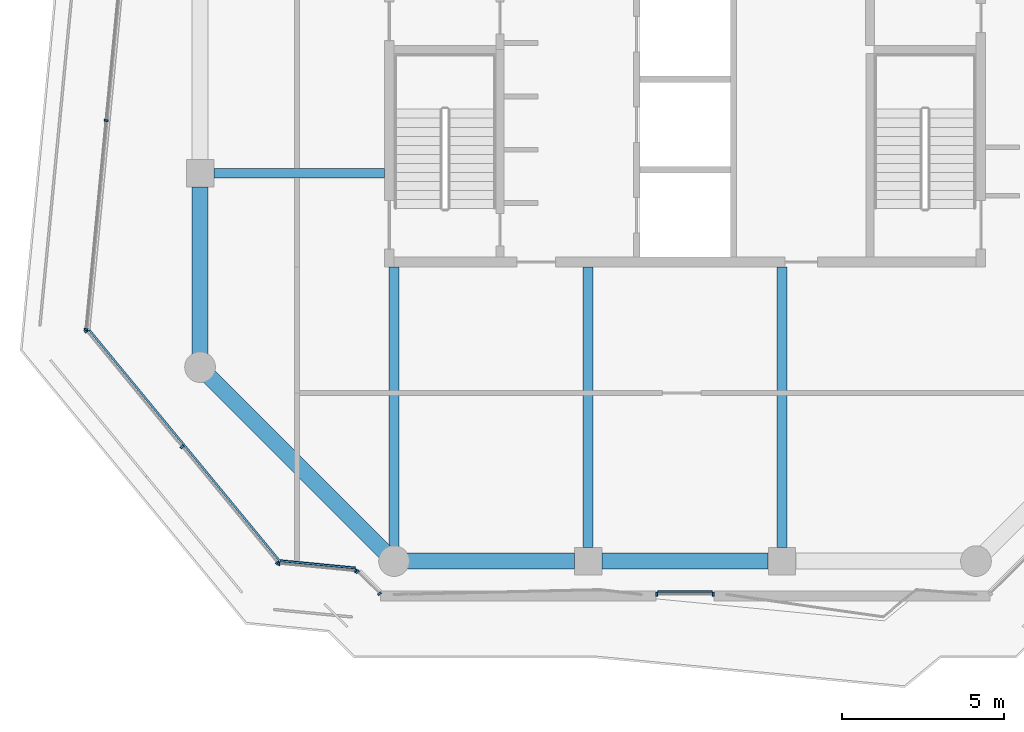
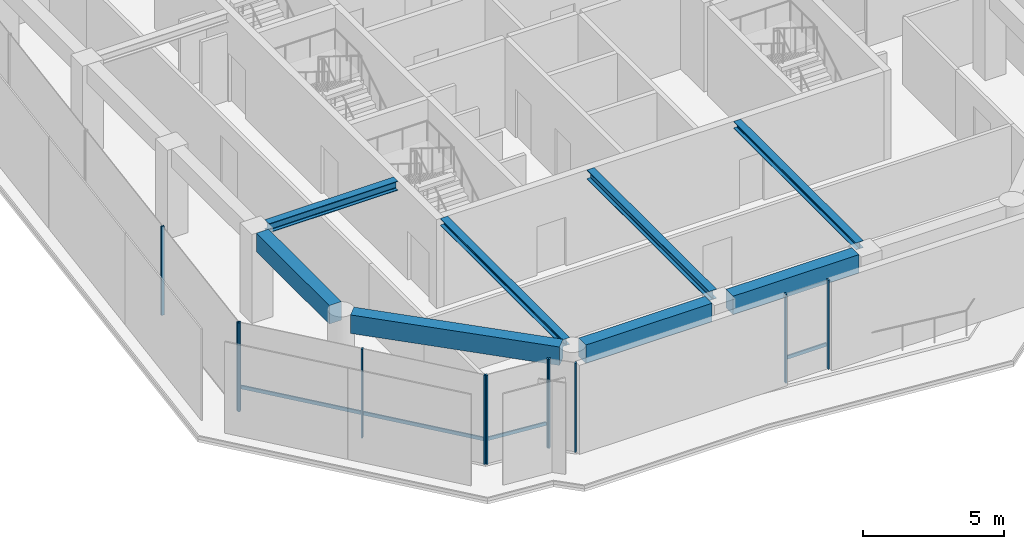
# One storey, part 2 of 25: 14 members, 8 beams, 5 elements without a shape of their own.
"""IFC4 building model written with IfcOpenShell, lengths in metres."""

from ifc_helpers import new_model, si_unit, direction, frame, origin, origin_2d, place, context, subcontext, project, spatial, rectangle, i_section, extrude, material, layer, layer_set, material_profile, profile_set, type_object, element, aggregate, save


model = new_model("IFC4")

# Units and contexts
model_context = context("Model", 3, precision=1e-05, world=origin(), true_north=direction((0.0, 1.0)))
body_context = subcontext(model_context, "Body", "Model", "MODEL_VIEW")
ifc_project = project(units=[si_unit("LENGTHUNIT", "METRE"), si_unit("AREAUNIT", "SQUARE_METRE"), si_unit("VOLUMEUNIT", "CUBIC_METRE"), si_unit("PLANEANGLEUNIT", "RADIAN"), si_unit("MASSUNIT", "GRAM", prefix="KILO")], contexts=[model_context])

# Site, building, storey
site_placement = place(None, origin())
site = spatial("IfcSite", under=ifc_project, at=site_placement, CompositionType="ELEMENT")
building_placement = place(site_placement, origin())
building = spatial("IfcBuilding", under=site, at=building_placement, Name="Welwitschia Terrace Campus", CompositionType="ELEMENT")
storey_placement = place(building_placement, frame((0.0, 0.0, 264.199951171875)))
storey = spatial("IfcBuildingStorey", under=building, at=storey_placement, Name="L58", CompositionType="ELEMENT", Elevation=264.199951171875)

# Beams
ifc_material_1 = material(Name="Steel S355", Category="steel")
ifc_material_profile_1 = material_profile(ifc_material_1, i_section(OverallWidth=0.300048828125, OverallDepth=0.300048828125, WebThickness=0.010986328125, FlangeThickness=0.01904296875, FilletRadius=0.027099609375, at=origin_2d()))
ifc_profile_set_1 = profile_set([ifc_material_profile_1], Name="Steel S355")
beam_type_1 = type_object("IfcBeamType", Name="Interior girder HE 300 B", PredefinedType="BEAM", material=ifc_profile_set_1)
beam_1_placement = place(storey_placement, frame((6.0, -3.55859375, 3.699951171875), z_axis=(0.0, 1.0, 0.0), x_axis=(-1.0, 0.0, 0.0)))
element("IfcBeam", 1, at=beam_1_placement, inside=storey, type_object=beam_type_1, Name="Girder GB6", PredefinedType="BEAM", context=body_context, shape_type="SweptSolid", body=[
    extrude(i_section(OverallWidth=0.300048828125, OverallDepth=0.300048828125, WebThickness=0.010986328125, FlangeThickness=0.01904296875, FilletRadius=0.027099609375, at=origin_2d()), origin(), (0.0, 0.0, 1.0), 8.65771484375),
])
beam_2_placement = place(storey_placement, frame((18.0, -3.58447265625, 3.699951171875), z_axis=(0.0, 1.0, 0.0), x_axis=(-1.0, 0.0, 0.0)))
element("IfcBeam", 2, at=beam_2_placement, inside=storey, type_object=beam_type_1, Name="Girder GB6", PredefinedType="BEAM", context=body_context, shape_type="SweptSolid", body=[
    extrude(i_section(OverallWidth=0.300048828125, OverallDepth=0.300048828125, WebThickness=0.010986328125, FlangeThickness=0.01904296875, FilletRadius=0.027099609375, at=origin_2d()), origin(), (0.0, 0.0, 1.0), 8.68359375),
])

# Curtain wall, members
ifc_material_2 = material(Name="Bronze anodised aluminium", Category="aluminium")
ifc_layer = layer(ifc_material_2, 0.1201171875)
ifc_layer_set = layer_set([ifc_layer], Name="Bronze anodised aluminium")
curtain_wall_type = type_object("IfcCurtainWallType", Name="Curtain wall CW2 tower 6000", PredefinedType="NOTDEFINED", material=ifc_layer_set)
curtain_wall_1_placement = place(storey_placement, origin())
curtain_wall_1 = element("IfcCurtainWall", 3, at=curtain_wall_1_placement, inside=storey, type_object=curtain_wall_type, Name="CW L58.1.0", PredefinedType="NOTDEFINED")
ifc_material_3 = material(Name="Bronze anodised aluminium", Category="aluminium")
ifc_material_profile_2 = material_profile(ifc_material_3, rectangle(XDim=0.1201171875, YDim=0.06005859375, at=origin_2d()))
ifc_profile_set_2 = profile_set([ifc_material_profile_2], Name="Bronze anodised aluminium")
member_type_1 = type_object("IfcMemberType", Name="Mullion 60x120", PredefinedType="MULLION", material=ifc_profile_set_2)
member_1_placement = place(storey_placement, frame((-2.90576171875, 9.628173828125, 0.0), z_axis=(0.0, 0.0, 1.0), x_axis=(0.995396198367, -0.09584575252, 0.0)))
member_1 = element("IfcMember", 4, at=member_1_placement, type_object=member_type_1, Name="Mullion L58.1.0.3", PredefinedType="MULLION", context=body_context, shape_type="SweptSolid", body=[
    extrude(rectangle(XDim=0.1201171875, YDim=0.06005859375, at=origin_2d()), origin(), (0.0, 0.0, 1.0), 3.85009765625),
])
member_2_placement = place(storey_placement, frame((-3.528076171875, 3.16455078125, 0.0), z_axis=(0.0, 0.0, 1.0), x_axis=(0.995396198367, -0.09584575252, 0.0)))
member_2 = element("IfcMember", 5, at=member_2_placement, type_object=member_type_1, Name="Mullion L58.1.0.4", PredefinedType="MULLION", context=body_context, shape_type="SweptSolid", body=[
    extrude(rectangle(XDim=0.1201171875, YDim=0.06005859375, at=origin_2d()), origin(), (0.0, 0.0, 1.0), 3.85009765625),
])
aggregate(curtain_wall_1, [member_1, member_2])

curtain_wall_2_placement = place(storey_placement, origin())
curtain_wall_2 = element("IfcCurtainWall", 6, at=curtain_wall_2_placement, inside=storey, type_object=curtain_wall_type, Name="CW L58.2.0", PredefinedType="NOTDEFINED")
member_3_placement = place(storey_placement, frame((-3.511962890625, 3.111572265625, 0.0), z_axis=(0.0, 0.0, 1.0), x_axis=(0.771624583388, 0.636078220278, 0.0)))
member_3 = element("IfcMember", 7, at=member_3_placement, type_object=member_type_1, Name="Mullion L58.2.0.0", PredefinedType="MULLION", context=body_context, shape_type="SweptSolid", body=[
    extrude(rectangle(XDim=0.1201171875, YDim=0.06005859375, at=origin_2d()), origin(), (0.0, 0.0, 1.0), 3.85009765625),
])
member_4_placement = place(storey_placement, frame((-0.56103515625, -0.46826171875, 0.0), z_axis=(0.0, 0.0, 1.0), x_axis=(0.771624583388, 0.636078220278, 0.0)))
member_4 = element("IfcMember", 8, at=member_4_placement, type_object=member_type_1, Name="Mullion L58.2.0.1", PredefinedType="MULLION", context=body_context, shape_type="SweptSolid", body=[
    extrude(rectangle(XDim=0.1201171875, YDim=0.06005859375, at=origin_2d()), origin(), (0.0, 0.0, 1.0), 3.85009765625),
])
member_5_placement = place(storey_placement, frame((2.389892578125, -4.0478515625, 0.0), z_axis=(0.0, 0.0, 1.0), x_axis=(0.771624583388, 0.636078220278, 0.0)))
member_5 = element("IfcMember", 9, at=member_5_placement, type_object=member_type_1, Name="Mullion L58.2.0.2", PredefinedType="MULLION", context=body_context, shape_type="SweptSolid", body=[
    extrude(rectangle(XDim=0.1201171875, YDim=0.06005859375, at=origin_2d()), origin(), (0.0, 0.0, 1.0), 3.85009765625),
])

curtain_wall_3_placement = place(storey_placement, origin())
curtain_wall_3 = element("IfcCurtainWall", 10, at=curtain_wall_3_placement, inside=storey, type_object=curtain_wall_type, Name="CW L58.3.0", PredefinedType="NOTDEFINED")
member_6_placement = place(storey_placement, frame((2.43896484375, -4.073974609375, 0.0), z_axis=(0.0, 0.0, 1.0), x_axis=(0.09584575252, 0.995396198367, 0.0)))
member_6 = element("IfcMember", 11, at=member_6_placement, type_object=member_type_1, Name="Mullion L58.3.0.0", PredefinedType="MULLION", context=body_context, shape_type="SweptSolid", body=[
    extrude(rectangle(XDim=0.1201171875, YDim=0.06005859375, at=origin_2d()), origin(), (0.0, 0.0, 1.0), 3.85009765625),
])
member_7_placement = place(storey_placement, frame((4.819580078125, -4.30322265625, 0.0), z_axis=(0.0, 0.0, 1.0), x_axis=(0.09584575252, 0.995396198367, 0.0)))
member_7 = element("IfcMember", 12, at=member_7_placement, type_object=member_type_1, Name="Mullion L58.3.0.1", PredefinedType="MULLION", context=body_context, shape_type="SweptSolid", body=[
    extrude(rectangle(XDim=0.1201171875, YDim=0.06005859375, at=origin_2d()), origin(), (0.0, 0.0, 1.0), 3.85009765625),
])

curtain_wall_4_placement = place(storey_placement, origin())
curtain_wall_4 = element("IfcCurtainWall", 13, at=curtain_wall_4_placement, inside=storey, type_object=curtain_wall_type, Name="CW L58.4.0", PredefinedType="NOTDEFINED")
member_8_placement = place(storey_placement, frame((4.87060546875, -4.327392578125, 0.0), z_axis=(0.0, 0.0, 1.0), x_axis=(0.707106781187, 0.707106781187, 0.0)))
member_8 = element("IfcMember", 14, at=member_8_placement, type_object=member_type_1, Name="Mullion L58.4.0.0", PredefinedType="MULLION", context=body_context, shape_type="SweptSolid", body=[
    extrude(rectangle(XDim=0.1201171875, YDim=0.06005859375, at=origin_2d()), origin(), (0.0, 0.0, 1.0), 3.85009765625),
])
member_9_placement = place(storey_placement, frame((5.55224609375, -5.0087890625, 0.0), z_axis=(0.0, 0.0, 1.0), x_axis=(0.707106781187, 0.707106781187, 0.0)))
member_9 = element("IfcMember", 15, at=member_9_placement, type_object=member_type_1, Name="Mullion L58.4.0.1", PredefinedType="MULLION", context=body_context, shape_type="SweptSolid", body=[
    extrude(rectangle(XDim=0.1201171875, YDim=0.06005859375, at=origin_2d()), origin(), (0.0, 0.0, 1.0), 3.85009765625),
])
aggregate(curtain_wall_4, [member_8, member_9])

curtain_wall_5_placement = place(storey_placement, origin())
curtain_wall_5 = element("IfcCurtainWall", 16, at=curtain_wall_5_placement, inside=storey, type_object=curtain_wall_type, Name="CW L58.5.S0", PredefinedType="NOTDEFINED")
member_10_placement = place(storey_placement, frame((14.1298828125, -5.030029296875, 0.0), z_axis=(0.0, 0.0, 1.0), x_axis=(0.0, 1.0, 0.0)))
member_10 = element("IfcMember", 17, at=member_10_placement, type_object=member_type_1, Name="Mullion L58.5.S0.0", PredefinedType="MULLION", context=body_context, shape_type="SweptSolid", body=[
    extrude(rectangle(XDim=0.1201171875, YDim=0.06005859375, at=origin_2d()), origin(), (0.0, 0.0, 1.0), 3.85009765625),
])
member_11_placement = place(storey_placement, frame((15.8701171875, -5.030029296875, 0.0), z_axis=(0.0, 0.0, 1.0), x_axis=(0.0, 1.0, 0.0)))
member_11 = element("IfcMember", 18, at=member_11_placement, type_object=member_type_1, Name="Mullion L58.5.S0.1", PredefinedType="MULLION", context=body_context, shape_type="SweptSolid", body=[
    extrude(rectangle(XDim=0.1201171875, YDim=0.06005859375, at=origin_2d()), origin(), (0.0, 0.0, 1.0), 3.85009765625),
])

# Beams
ifc_material_4 = material(Name="Steel S355", Category="steel")
ifc_material_profile_3 = material_profile(ifc_material_4, i_section(OverallWidth=0.300048828125, OverallDepth=0.39990234375, WebThickness=0.013427734375, FlangeThickness=0.02392578125, FilletRadius=0.027099609375, at=origin_2d()))
ifc_profile_set_3 = profile_set([ifc_material_profile_3], Name="Steel S355")
beam_type_2 = type_object("IfcBeamType", Name="Primary beam HE 400 B", PredefinedType="BEAM", material=ifc_profile_set_3)
beam_3_placement = place(storey_placement, frame((12.0, -3.574462890625, 3.650146484375), z_axis=(0.0, 1.0, 0.0), x_axis=(-1.0, 0.0, 0.0)))
element("IfcBeam", 19, at=beam_3_placement, inside=storey, type_object=beam_type_2, Name="Primary beam PB6", PredefinedType="BEAM", context=body_context, shape_type="SweptSolid", body=[
    extrude(i_section(OverallWidth=0.300048828125, OverallDepth=0.39990234375, WebThickness=0.013427734375, FlangeThickness=0.02392578125, FilletRadius=0.027099609375, at=origin_2d()), origin(), (0.0, 0.0, 1.0), 8.674560546875),
])
beam_4_placement = place(storey_placement, frame((0.425537109375, 8.0, 3.650146484375), z_axis=(1.0, 0.0, 0.0), x_axis=(0.0, 1.0, 0.0)))
element("IfcBeam", 20, at=beam_4_placement, inside=storey, type_object=beam_type_2, Name="Primary beam PB6", PredefinedType="BEAM", context=body_context, shape_type="SweptSolid", body=[
    extrude(i_section(OverallWidth=0.300048828125, OverallDepth=0.39990234375, WebThickness=0.013427734375, FlangeThickness=0.02392578125, FilletRadius=0.027099609375, at=origin_2d()), origin(), (0.0, 0.0, 1.0), 5.2744140625),
])
ifc_material_5 = material(Name="Concrete C50/60", Category="concrete")
ifc_material_profile_4 = material_profile(ifc_material_5, rectangle(XDim=0.5, YDim=0.800048828125, at=origin_2d()))
ifc_profile_set_4 = profile_set([ifc_material_profile_4], Name="Concrete C50/60")
beam_type_3 = type_object("IfcBeamType", Name="Ring spandrel 500x800", PredefinedType="SPANDREL", material=ifc_profile_set_4)
beam_5_placement = place(storey_placement, frame((0.285888671875, 1.714111328125, 3.449951171875), z_axis=(0.707106781187, -0.707106781187, 0.0), x_axis=(0.707106781187, 0.707106781187, 0.0)))
element("IfcBeam", 21, at=beam_5_placement, inside=storey, type_object=beam_type_3, Name="Spandrel SP4", PredefinedType="SPANDREL", context=body_context, shape_type="SweptSolid", body=[
    extrude(rectangle(XDim=0.5, YDim=0.800048828125, at=origin_2d()), origin(), (0.0, 0.0, 1.0), 7.6767578125),
])
beam_6_placement = place(storey_placement, frame((6.404541015625, -4.0, 3.449951171875), z_axis=(1.0, 0.0, 0.0), x_axis=(0.0, 1.0, 0.0)))
element("IfcBeam", 22, at=beam_6_placement, inside=storey, type_object=beam_type_3, Name="Spandrel SP4", PredefinedType="SPANDREL", context=body_context, shape_type="SweptSolid", body=[
    extrude(rectangle(XDim=0.5, YDim=0.800048828125, at=origin_2d()), origin(), (0.0, 0.0, 1.0), 5.169921875),
])
beam_7_placement = place(storey_placement, frame((12.425537109375, -4.0, 3.449951171875), z_axis=(1.0, 0.0, 0.0), x_axis=(0.0, 1.0, 0.0)))
element("IfcBeam", 23, at=beam_7_placement, inside=storey, type_object=beam_type_3, Name="Spandrel SP4", PredefinedType="SPANDREL", context=body_context, shape_type="SweptSolid", body=[
    extrude(rectangle(XDim=0.5, YDim=0.800048828125, at=origin_2d()), origin(), (0.0, 0.0, 1.0), 5.14892578125),
])
beam_8_placement = place(storey_placement, frame((0.0, 7.574462890625, 3.449951171875), z_axis=(0.0, -1.0, 0.0), x_axis=(1.0, 0.0, 0.0)))
element("IfcBeam", 24, at=beam_8_placement, inside=storey, type_object=beam_type_3, Name="Spandrel SP4", PredefinedType="SPANDREL", context=body_context, shape_type="SweptSolid", body=[
    extrude(rectangle(XDim=0.5, YDim=0.800048828125, at=origin_2d()), origin(), (0.0, 0.0, 1.0), 5.169921875),
])

# Member
ifc_material_6 = material(Name="Bronze anodised aluminium", Category="aluminium")
ifc_material_profile_5 = material_profile(ifc_material_6, rectangle(XDim=0.06005859375, YDim=0.14990234375, at=origin_2d()))
ifc_profile_set_5 = profile_set([ifc_material_profile_5], Name="Bronze anodised aluminium")
member_type_2 = type_object("IfcMemberType", Name="Transom 60x150", PredefinedType="USERDEFINED", material=ifc_profile_set_5)
member_12_placement = place(storey_placement, frame((-3.42333984375, 3.145751953125, 1.0), z_axis=(0.636080349998, -0.771622827777, 0.0), x_axis=(0.771622827777, 0.636080349998, 0.0)))
member_12 = element("IfcMember", 25, at=member_12_placement, type_object=member_type_2, Name="Transom L58.2.0", ObjectType="TRANSOM", PredefinedType="USERDEFINED", context=body_context, shape_type="SweptSolid", body=[
    extrude(rectangle(XDim=0.06005859375, YDim=0.14990234375, at=origin_2d()), origin(), (0.0, 0.0, 1.0), 9.218505859375),
])

aggregate(curtain_wall_2, [member_3, member_4, member_5, member_12])

member_13_placement = place(storey_placement, frame((2.477294921875, -3.9873046875, 1.0), z_axis=(0.995400392617, -0.095802183575, 0.0), x_axis=(0.095802183575, 0.995400392617, 0.0)))
member_13 = element("IfcMember", 26, at=member_13_placement, type_object=member_type_2, Name="Transom L58.3.0", ObjectType="TRANSOM", PredefinedType="USERDEFINED", context=body_context, shape_type="SweptSolid", body=[
    extrude(rectangle(XDim=0.06005859375, YDim=0.14990234375, at=origin_2d()), origin(), (0.0, 0.0, 1.0), 2.331787109375),
])

aggregate(curtain_wall_3, [member_6, member_7, member_13])

member_14_placement = place(storey_placement, frame((14.159912109375, -4.93994140625, 1.0), z_axis=(1.0, 0.0, 0.0), x_axis=(0.0, 1.0, 0.0)))
member_14 = element("IfcMember", 27, at=member_14_placement, type_object=member_type_2, Name="Transom L58.5.S0", ObjectType="TRANSOM", PredefinedType="USERDEFINED", context=body_context, shape_type="SweptSolid", body=[
    extrude(rectangle(XDim=0.06005859375, YDim=0.14990234375, at=origin_2d()), origin(), (0.0, 0.0, 1.0), 1.68017578125),
])

aggregate(curtain_wall_5, [member_10, member_11, member_14])

save(model, "model.ifc")
